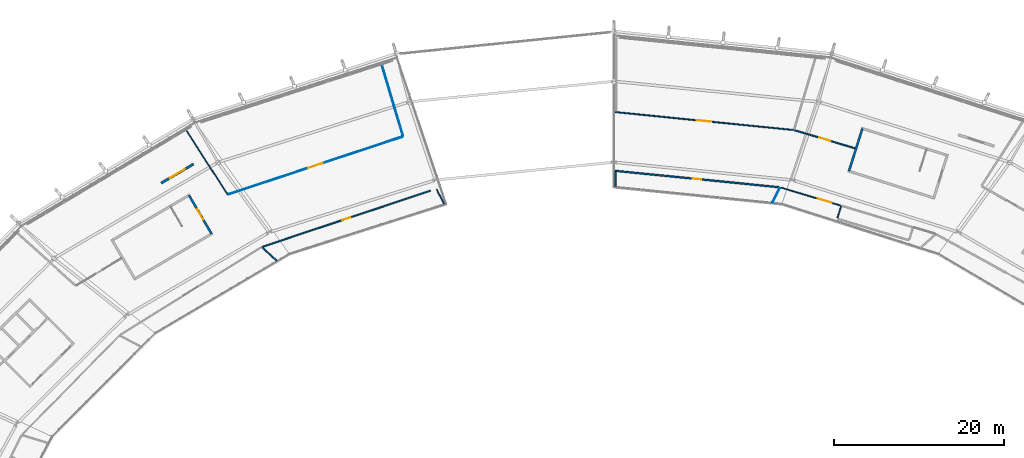
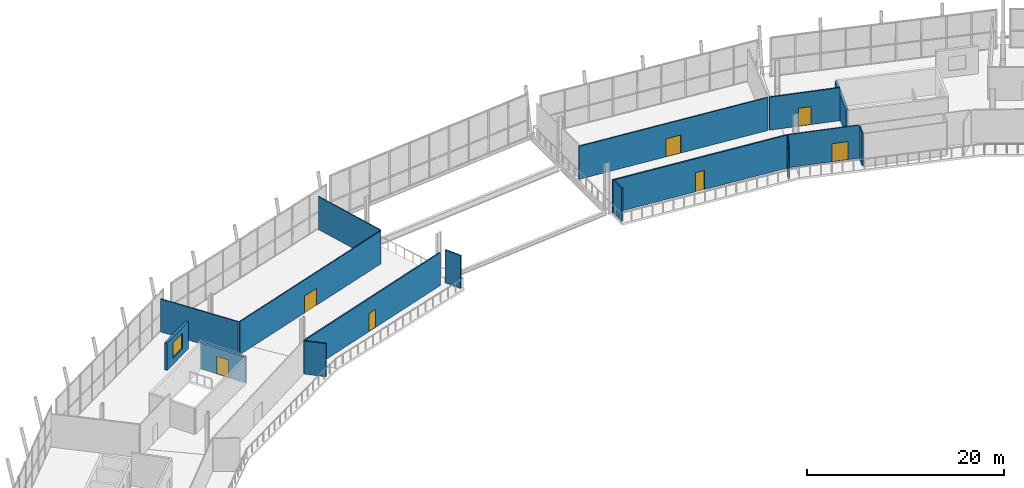
# One storey, part 91 of 99: 16 walls, 7 doors, 1 window, 8 openings.
"""IFC4 building model written with IfcOpenShell, lengths in metres."""

from ifc_helpers import new_model, si_unit, direction, frame, frame_2d, origin, place, context, subcontext, project, spatial, rectangle, extrude, material, layer, layer_set, type_object, element, fill, save


model = new_model("IFC4")

# Units and contexts
model_context = context("Model", 3, precision=1e-05, world=origin(), true_north=direction((0.0, 1.0)))
body_context = subcontext(model_context, "Body", "Model", "MODEL_VIEW")
ifc_project = project(units=[si_unit("LENGTHUNIT", "METRE"), si_unit("AREAUNIT", "SQUARE_METRE"), si_unit("VOLUMEUNIT", "CUBIC_METRE"), si_unit("PLANEANGLEUNIT", "RADIAN"), si_unit("MASSUNIT", "GRAM", prefix="KILO")], contexts=[model_context])

# Site, building, storey
site_placement = place(None, origin())
site = spatial("IfcSite", under=ifc_project, at=site_placement, CompositionType="ELEMENT")
building_placement = place(site_placement, origin())
building = spatial("IfcBuilding", under=site, at=building_placement, Name="Zlatoyarsky Gate Stadium", CompositionType="ELEMENT")
storey_placement = place(building_placement, frame((0.0, 0.0, 26.199951171875)))
storey = spatial("IfcBuildingStorey", under=building, at=storey_placement, Name="L05", CompositionType="ELEMENT", Elevation=26.199951171875)

# Wall, opening, door
ifc_material_1 = material(Name="Double-stud acoustic gypsum partition", Category="gypsum")
ifc_layer_1 = layer(ifc_material_1, 0.169921875)
ifc_layer_set_1 = layer_set([ifc_layer_1], Name="Double-stud acoustic gypsum partition")
wall_type_1 = type_object("IfcWallType", Name="ACOUSTIC BROADCAST STUDIO WALL 170", PredefinedType="PARTITIONING", material=ifc_layer_set_1)
wall_1_placement = place(storey_placement, frame((130.4248046875, 138.56103515625, 0.0), z_axis=(0.0, 0.0, 1.0), x_axis=(-0.995054213973, 0.099333334058, 0.0)))
wall_1 = element("IfcWall", 1, at=wall_1_placement, inside=storey, type_object=wall_type_1, Name="L05 interior partition PRT-L05-ICC-05", PredefinedType="PARTITIONING", context=body_context, shape_type="SweptSolid", body=[
    extrude(rectangle(XDim=19.436279296875, YDim=0.169921875, at=frame_2d((9.71826171875, 0.0))), origin(), (0.0, 0.0, 1.0), 4.10009765625),
])
opening_1_placement = place(wall_1_placement, frame((9.23828125, 0.0, 0.0)))
opening_1 = element("IfcOpeningElement", 2, at=opening_1_placement, cuts=wall_1, Name="Opening D-L05-620", PredefinedType="OPENING", context=body_context, shape_type="SweptSolid", body=[
    extrude(rectangle(XDim=0.9599609375, YDim=2.3798828125, at=frame_2d((0.47998046875, 1.18994140625))), frame((0.0, 0.094970703125, 0.0), z_axis=(0.0, -1.0, 0.0), x_axis=(1.0, 0.0, 0.0)), (0.0, 0.0, 1.0), 0.18994140625),
])
ifc_material_2 = material(Name="Powder-coated steel fire door", Category="steel")
door_type_1 = type_object("IfcDoorType", Name="ACOUSTIC INTERIOR DOOR 960X2380", OperationType="NOTDEFINED", PredefinedType="DOOR", material=ifc_material_2)
door_1_placement = place(opening_1_placement, origin())
door_1 = element("IfcDoor", 3, at=door_1_placement, inside=storey, type_object=door_type_1, Name="L05 room door D-L05-620", OperationType="SINGLE_SWING_LEFT", OverallHeight=2.3798828125, OverallWidth=0.9599609375, PredefinedType="DOOR", context=body_context, shape_type="SweptSolid", body=[
    extrude(rectangle(XDim=0.9599609375, YDim=2.3798828125, at=frame_2d((0.47998046875, 1.18994140625))), frame((0.0, 0.02490234375, 0.0), z_axis=(0.0, -1.0, 0.0), x_axis=(1.0, 0.0, 0.0)), (0.0, 0.0, 1.0), 0.050048828125),
])
fill(opening_1, door_1)

ifc_material_3 = material(Name="Anodised aluminium acoustic operable wall", Category="aluminium")
ifc_layer_2 = layer(ifc_material_3, 0.114990234375)
ifc_layer_set_2 = layer_set([ifc_layer_2], Name="Anodised aluminium acoustic operable wall")
wall_type_2 = type_object("IfcWallType", Name="ACOUSTIC OPERABLE SUITE WALL 115", PredefinedType="MOVABLE", material=ifc_layer_set_2)
wall_2_placement = place(storey_placement, frame((137.61083984375, 136.417724609375, 0.0), z_axis=(0.0, 0.0, 1.0), x_axis=(-0.957653782183, 0.28792226984, 0.0)))
wall_2 = element("IfcWall", 4, at=wall_2_placement, inside=storey, type_object=wall_type_2, Name="L05 interior partition PRT-L05-ICC-04", PredefinedType="MOVABLE", context=body_context, shape_type="SweptSolid", body=[
    extrude(rectangle(XDim=7.330322265625, YDim=0.114990234375, at=frame_2d((3.6650390625, 0.0))), origin(), (0.0, 0.0, 1.0), 4.10009765625),
])
opening_2_placement = place(wall_2_placement, frame((1.10009765625, 0.0, 0.0)))
opening_2 = element("IfcOpeningElement", 5, at=opening_2_placement, cuts=wall_2, Name="Opening D-L05-618", PredefinedType="OPENING", context=body_context, shape_type="SweptSolid", body=[
    extrude(rectangle(XDim=1.679931640625, YDim=2.239990234375, at=frame_2d((0.83984375, 1.1201171875))), frame((0.0, 0.0673828125, 0.0), z_axis=(0.0, -1.0, 0.0), x_axis=(1.0, 0.0, 0.0)), (0.0, 0.0, 1.0), 0.135009765625),
])
ifc_material_4 = material(Name="Solid-core oak veneer acoustic door", Category="wood")
door_type_2 = type_object("IfcDoorType", Name="ACOUSTIC INTERIOR DOOR 1680X2240", OperationType="NOTDEFINED", PredefinedType="DOOR", material=ifc_material_4)
door_2_placement = place(opening_2_placement, origin())
door_2 = element("IfcDoor", 6, at=door_2_placement, inside=storey, type_object=door_type_2, Name="L05 room door D-L05-618", OperationType="SINGLE_SWING_RIGHT", OverallHeight=2.239990234375, OverallWidth=1.679931640625, PredefinedType="DOOR", context=body_context, shape_type="SweptSolid", body=[
    extrude(rectangle(XDim=1.679931640625, YDim=2.239990234375, at=frame_2d((0.83984375, 1.1201171875))), frame((0.0, 0.02490234375, 0.0), z_axis=(0.0, -1.0, 0.0), x_axis=(1.0, 0.0, 0.0)), (0.0, 0.0, 1.0), 0.050048828125),
])
fill(opening_2, door_2)

# Walls
wall_3_placement = place(storey_placement, frame((65.5888671875, 137.760009765625, 0.0), z_axis=(0.0, 0.0, 1.0), x_axis=(-0.540944238163, 0.841058458847, 0.0)))
element("IfcWall", 7, at=wall_3_placement, inside=storey, type_object=wall_type_2, Name="L05 interior partition PRT-L05-ORD-07R", PredefinedType="MOVABLE", context=body_context, shape_type="SweptSolid", body=[
    extrude(rectangle(XDim=8.858154296875, YDim=0.114990234375, at=frame_2d((4.42919921875, 0.0))), origin(), (0.0, 0.0, 1.0), 4.10009765625),
])
ifc_material_5 = material(Name="Moisture-resistant masonry partition", Category="masonry")
ifc_layer_3 = layer(ifc_material_5, 0.139892578125)
ifc_layer_set_3 = layer_set([ifc_layer_3], Name="Moisture-resistant masonry partition")
wall_type_3 = type_object("IfcWallType", Name="ATHLETE CHANGING BLOCK PARTITION 140", PredefinedType="PARTITIONING", material=ifc_layer_set_3)
wall_4_placement = place(storey_placement, frame((71.38330078125, 129.925537109375, 0.0), z_axis=(0.0, 0.0, 1.0), x_axis=(-0.735568791017, 0.677450037776, 0.0)))
element("IfcWall", 8, at=wall_4_placement, inside=storey, type_object=wall_type_3, Name="L05 interior partition PRT-L05-IRD-08", PredefinedType="PARTITIONING", context=body_context, shape_type="SweptSolid", body=[
    extrude(rectangle(XDim=2.2978515625, YDim=0.139892578125, at=frame_2d((1.14892578125, 0.0))), origin(), (0.0, 0.0, 1.0), 4.10009765625),
])

# Wall, opening, door
ifc_material_6 = material(Name="Metal-stud gypsum partition", Category="gypsum")
ifc_layer_4 = layer(ifc_material_6, 0.14990234375)
ifc_layer_set_4 = layer_set([ifc_layer_4], Name="Metal-stud gypsum partition")
wall_type_4 = type_object("IfcWallType", Name="CONCOURSE CORRIDOR PARTITION 150", PredefinedType="PARTITIONING", material=ifc_layer_set_4)
wall_5_placement = place(storey_placement, frame((89.45458984375, 138.156982421875, 0.0), z_axis=(0.0, 0.0, 1.0), x_axis=(-0.948550671686, -0.316625367341, 0.0)))
wall_5 = element("IfcWall", 9, at=wall_5_placement, inside=storey, type_object=wall_type_4, Name="L05 interior partition PRT-L05-ICC-07", PredefinedType="PARTITIONING", context=body_context, shape_type="SweptSolid", body=[
    extrude(rectangle(XDim=20.814208984375, YDim=0.14990234375, at=frame_2d((10.4072265625, 0.0))), origin(), (0.0, 0.0, 1.0), 4.10009765625),
])
opening_3_placement = place(wall_5_placement, frame((9.897216796875, 0.0, 0.0)))
opening_3 = element("IfcOpeningElement", 10, at=opening_3_placement, cuts=wall_5, Name="Opening D-L05-622", PredefinedType="OPENING", context=body_context, shape_type="SweptSolid", body=[
    extrude(rectangle(XDim=1.02001953125, YDim=2.239990234375, at=frame_2d((0.510009765625, 1.1201171875))), frame((0.0, 0.0849609375, 0.0), z_axis=(0.0, -1.0, 0.0), x_axis=(1.0, 0.0, 0.0)), (0.0, 0.0, 1.0), 0.169921875),
])
door_type_3 = type_object("IfcDoorType", Name="ACOUSTIC INTERIOR DOOR 1020X2240", OperationType="NOTDEFINED", PredefinedType="DOOR", material=ifc_material_2)
door_3_placement = place(opening_3_placement, origin())
door_3 = element("IfcDoor", 11, at=door_3_placement, inside=storey, type_object=door_type_3, Name="L05 room door D-L05-622", OperationType="SINGLE_SWING_RIGHT", OverallHeight=2.239990234375, OverallWidth=1.02001953125, PredefinedType="DOOR", context=body_context, shape_type="SweptSolid", body=[
    extrude(rectangle(XDim=1.02001953125, YDim=2.239990234375, at=frame_2d((0.510009765625, 1.1201171875))), frame((0.0, 0.02490234375, 0.0), z_axis=(0.0, -1.0, 0.0), x_axis=(1.0, 0.0, 0.0)), (0.0, 0.0, 1.0), 0.050048828125),
])
fill(opening_3, door_3)

wall_6_placement = place(storey_placement, frame((139.311767578125, 143.135009765625, 0.0), z_axis=(0.0, 0.0, 1.0), x_axis=(-0.958149765672, 0.286267403913, 0.0)))
wall_6 = element("IfcWall", 12, at=wall_6_placement, inside=storey, type_object=wall_type_4, Name="L05 interior partition PRT-L05-OCC-04-1", PredefinedType="PARTITIONING", context=body_context, shape_type="SweptSolid", body=[
    extrude(rectangle(XDim=7.40185546875, YDim=0.14990234375, at=frame_2d((3.700927734375, 0.0))), origin(), (0.0, 0.0, 1.0), 4.10009765625),
])
opening_4_placement = place(wall_6_placement, frame((3.03076171875, 0.0, 0.0)))
opening_4 = element("IfcOpeningElement", 13, at=opening_4_placement, cuts=wall_6, Name="Opening D-L05-672", PredefinedType="OPENING", context=body_context, shape_type="SweptSolid", body=[
    extrude(rectangle(XDim=1.340087890625, YDim=2.239990234375, at=frame_2d((0.669921875, 1.1201171875))), frame((0.0, 0.0849609375, 0.0), z_axis=(0.0, -1.0, 0.0), x_axis=(1.0, 0.0, 0.0)), (0.0, 0.0, 1.0), 0.169921875),
])
door_type_4 = type_object("IfcDoorType", Name="ACOUSTIC INTERIOR DOOR 1340X2240", OperationType="NOTDEFINED", PredefinedType="DOOR", material=ifc_material_2)
door_4_placement = place(opening_4_placement, origin())
door_4 = element("IfcDoor", 14, at=door_4_placement, inside=storey, type_object=door_type_4, Name="L05 room door D-L05-672", OperationType="SINGLE_SWING_RIGHT", OverallHeight=2.239990234375, OverallWidth=1.340087890625, PredefinedType="DOOR", context=body_context, shape_type="SweptSolid", body=[
    extrude(rectangle(XDim=1.340087890625, YDim=2.239990234375, at=frame_2d((0.669921875, 1.1201171875))), frame((0.0, 0.02490234375, 0.0), z_axis=(0.0, -1.0, 0.0), x_axis=(1.0, 0.0, 0.0)), (0.0, 0.0, 1.0), 0.050048828125),
])
fill(opening_4, door_4)

# Wall
ifc_material_7 = material(Name="Concrete C40/50", Category="concrete")
ifc_layer_5 = layer(ifc_material_7, 0.25)
ifc_layer_set_5 = layer_set([ifc_layer_5], Name="Concrete C40/50")
wall_type_5 = type_object("IfcWallType", Name="CONCRETE STAIR CORE SHEAR WALL 250", PredefinedType="SHEAR", material=ifc_layer_set_5)
wall_7_placement = place(storey_placement, frame((140.182373046875, 145.457763671875, 0.0), z_axis=(0.0, 0.0, 1.0), x_axis=(-0.301485222482, -0.953470849384, 0.0)))
element("IfcWall", 15, at=wall_7_placement, inside=storey, type_object=wall_type_5, Name="ST-03 L05 stair core far shear wall", PredefinedType="SHEAR", context=body_context, shape_type="SweptSolid", body=[
    extrude(rectangle(XDim=5.25, YDim=0.25, at=frame_2d((2.625, 0.0))), origin(), (0.0, 0.0, 1.0), 3.199951171875),
])

# Wall, opening, door
wall_8_placement = place(storey_placement, frame((63.74658203125, 133.083984375, 0.0), z_axis=(0.0, 0.0, 1.0), x_axis=(-0.505460490551, 0.862849750821, 0.0)))
wall_8 = element("IfcWall", 16, at=wall_8_placement, inside=storey, type_object=wall_type_5, Name="ST-05 L05 stair core entrance shear wall", PredefinedType="SHEAR", context=body_context, shape_type="SweptSolid", body=[
    extrude(rectangle(XDim=5.249755859375, YDim=0.25, at=frame_2d((2.625, 0.0))), origin(), (0.0, 0.0, 1.0), 3.199951171875),
])
opening_5_placement = place(wall_8_placement, frame((1.925048828125, 0.0, 0.0)))
opening_5 = element("IfcOpeningElement", 17, at=opening_5_placement, cuts=wall_8, Name="Opening SD-ST-05-L05", PredefinedType="OPENING", context=body_context, shape_type="SweptSolid", body=[
    extrude(rectangle(XDim=1.39990234375, YDim=2.199951171875, at=frame_2d((0.699951171875, 1.10009765625))), frame((0.0, 0.135009765625, 0.0), z_axis=(0.0, -1.0, 0.0), x_axis=(1.0, 0.0, 0.0)), (0.0, 0.0, 1.0), 0.27001953125),
])
door_type_5 = type_object("IfcDoorType", Name="STAIR CORE FIRE EXIT DOOR 1400X2200", OperationType="NOTDEFINED", PredefinedType="DOOR", material=ifc_material_2)
door_5_placement = place(opening_5_placement, frame((1.39990234375, 0.0, 0.0), z_axis=(0.0, 0.0, 1.0), x_axis=(-1.0, 0.0, 0.0)))
door_5 = element("IfcDoor", 18, at=door_5_placement, inside=storey, type_object=door_type_5, Name="ST-05 L05 stair fire door", OperationType="SINGLE_SWING_LEFT", OverallHeight=2.199951171875, OverallWidth=1.39990234375, PredefinedType="DOOR", context=body_context, shape_type="SweptSolid", body=[
    extrude(rectangle(XDim=1.39990234375, YDim=2.199951171875, at=frame_2d((0.699951171875, 1.10009765625))), frame((0.0, 0.02490234375, 0.0), z_axis=(0.0, -1.0, 0.0), x_axis=(1.0, 0.0, 0.0)), (0.0, 0.0, 1.0), 0.050048828125),
])
fill(opening_5, door_5)

# Walls
ifc_material_8 = material(Name="Timber-veneered acoustic operable partition", Category="wood")
ifc_layer_6 = layer(ifc_material_8, 0.094970703125)
ifc_layer_set_6 = layer_set([ifc_layer_6], Name="Timber-veneered acoustic operable partition")
wall_type_6 = type_object("IfcWallType", Name="FOLDING BANQUET SALON WALL 95", PredefinedType="MOVABLE", material=ifc_layer_set_6)
wall_9_placement = place(storey_placement, frame((129.611083984375, 136.775634765625, 0.0), z_axis=(0.0, 0.0, 1.0), x_axis=(0.45120504431, 0.892420309041, 0.0)))
element("IfcWall", 19, at=wall_9_placement, inside=storey, type_object=wall_type_6, Name="L05 interior partition PRT-L05-IRD-05", PredefinedType="MOVABLE", context=body_context, shape_type="SweptSolid", body=[
    extrude(rectangle(XDim=1.90625, YDim=0.094970703125, at=frame_2d((0.953125, 0.0))), origin(), (0.0, 0.0, 1.0), 4.10009765625),
])
ifc_material_9 = material(Name="Acoustic metal-stud gypsum partition", Category="gypsum")
ifc_layer_7 = layer(ifc_material_9, 0.159912109375)
ifc_layer_set_7 = layer_set([ifc_layer_7], Name="Acoustic metal-stud gypsum partition")
wall_type_7 = type_object("IfcWallType", Name="HOSPITALITY SUITE PARTITION 160", PredefinedType="PARTITIONING", material=ifc_layer_set_7)
wall_10_placement = place(storey_placement, frame((111.198974609375, 138.68505859375, 0.0), z_axis=(0.0, 0.0, 1.0), x_axis=(0.0, 1.0, 0.0)))
element("IfcWall", 20, at=wall_10_placement, inside=storey, type_object=wall_type_7, Name="L05 interior partition PRT-L05-IRD-06E", PredefinedType="PARTITIONING", context=body_context, shape_type="SweptSolid", body=[
    extrude(rectangle(XDim=1.749755859375, YDim=0.159912109375, at=frame_2d((0.875, 0.0))), origin(), (0.0, 0.0, 1.0), 4.10009765625),
])

# Wall, opening, window
ifc_material_10 = material(Name="Precast concrete C40/50 architectural panel", Category="concrete")
ifc_layer_8 = layer(ifc_material_10, 0.280029296875)
ifc_layer_set_8 = layer_set([ifc_layer_8], Name="Precast concrete C40/50 architectural panel")
wall_type_8 = type_object("IfcWallType", Name="INSULATED WING SPANDREL WALL 280", PredefinedType="STANDARD", material=ifc_layer_set_8)
wall_11_placement = place(storey_placement, frame((61.6201171875, 141.2763671875, 0.0), z_axis=(0.0, 0.0, 1.0), x_axis=(-0.861939920372, -0.507010427574, 0.0)))
wall_11 = element("IfcWall", 21, at=wall_11_placement, inside=storey, type_object=wall_type_8, Name="L05 clerestory lantern wall 03", PredefinedType="STANDARD", context=body_context, shape_type="SweptSolid", body=[
    extrude(rectangle(XDim=4.400146484375, YDim=0.280029296875, at=frame_2d((2.2001953125, 0.0))), origin(), (0.0, 0.0, 1.0), 3.400146484375),
])
opening_6_placement = place(wall_11_placement, frame((1.199951171875, 0.0, 0.800048828125)))
opening_6 = element("IfcOpeningElement", 22, at=opening_6_placement, cuts=wall_11, Name="Opening SK-03", PredefinedType="OPENING", context=body_context, shape_type="SweptSolid", body=[
    extrude(rectangle(XDim=2.0, YDim=1.89990234375, at=frame_2d((1.0, 0.949951171875))), frame((0.0, 0.14990234375, 0.0), z_axis=(0.0, -1.0, 0.0), x_axis=(1.0, 0.0, 0.0)), (0.0, 0.0, 1.0), 0.300048828125),
])
ifc_material_11 = material(Name="Triple-glazed thermally broken aluminium skylight", Category="aluminium")
window_type = type_object("IfcWindowType", Name="INSULATED ROOF SMOKE VENT SKYLIGHT 2000X1900", PartitioningType="SINGLE_PANEL", PredefinedType="SKYLIGHT", material=ifc_material_11)
window_placement = place(opening_6_placement, origin())
window = element("IfcWindow", 23, at=window_placement, inside=storey, type_object=window_type, Name="Clerestory smoke vent skylight SKY-03", OverallHeight=1.89990234375, OverallWidth=2.0, PartitioningType="SINGLE_PANEL", PredefinedType="SKYLIGHT", context=body_context, shape_type="SweptSolid", body=[
    extrude(rectangle(XDim=2.0, YDim=1.89990234375, at=frame_2d((1.0, 0.949951171875))), frame((0.0, 0.030029296875, 0.0), z_axis=(0.0, -1.0, 0.0), x_axis=(1.0, 0.0, 0.0)), (0.0, 0.0, 1.0), 0.06005859375),
])
fill(opening_6, window)

# Wall, opening, door
ifc_layer_9 = layer(ifc_material_6, 0.110107421875)
ifc_layer_set_9 = layer_set([ifc_layer_9], Name="Metal-stud gypsum partition")
wall_type_9 = type_object("IfcWallType", Name="KIOSK SERVICE PARTITION 110", PredefinedType="PARTITIONING", material=ifc_layer_set_9)
wall_12_placement = place(storey_placement, frame((86.18017578125, 144.489501953125, 0.0), z_axis=(0.0, 0.0, 1.0), x_axis=(-0.949337004551, -0.314259847563, 0.0)))
wall_12 = element("IfcWall", 24, at=wall_12_placement, inside=storey, type_object=wall_type_9, Name="L05 interior partition PRT-L05-OCC-07-1", PredefinedType="PARTITIONING", context=body_context, shape_type="SweptSolid", body=[
    extrude(rectangle(XDim=21.556640625, YDim=0.110107421875, at=frame_2d((10.7783203125, 0.0))), origin(), (0.0, 0.0, 1.0), 4.10009765625),
])
opening_7_placement = place(wall_12_placement, frame((9.868408203125, 0.0, 0.0)))
opening_7 = element("IfcOpeningElement", 25, at=opening_7_placement, cuts=wall_12, Name="Opening D-L05-676", PredefinedType="OPENING", context=body_context, shape_type="SweptSolid", body=[
    extrude(rectangle(XDim=1.820068359375, YDim=2.10009765625, at=frame_2d((0.91015625, 1.050048828125))), frame((0.0, 0.06494140625, 0.0), z_axis=(0.0, -1.0, 0.0), x_axis=(1.0, 0.0, 0.0)), (0.0, 0.0, 1.0), 0.130126953125),
])
door_type_6 = type_object("IfcDoorType", Name="ACOUSTIC INTERIOR DOOR 1820X2100", OperationType="NOTDEFINED", PredefinedType="DOOR", material=ifc_material_4)
door_6_placement = place(opening_7_placement, origin())
door_6 = element("IfcDoor", 26, at=door_6_placement, inside=storey, type_object=door_type_6, Name="L05 room door D-L05-676", OperationType="SINGLE_SWING_RIGHT", OverallHeight=2.10009765625, OverallWidth=1.820068359375, PredefinedType="DOOR", context=body_context, shape_type="SweptSolid", body=[
    extrude(rectangle(XDim=1.820068359375, YDim=2.10009765625, at=frame_2d((0.91015625, 1.050048828125))), frame((0.0, 0.02490234375, 0.0), z_axis=(0.0, -1.0, 0.0), x_axis=(1.0, 0.0, 0.0)), (0.0, 0.0, 1.0), 0.050048828125),
])
fill(opening_7, door_6)

# Walls
ifc_layer_10 = layer(ifc_material_6, 0.10009765625)
ifc_layer_set_10 = layer_set([ifc_layer_10], Name="Metal-stud gypsum partition")
wall_type_10 = type_object("IfcWallType", Name="LIGHT STORAGE PARTITION 100", PredefinedType="PARTITIONING", material=ifc_layer_set_10)
wall_13_placement = place(storey_placement, frame((86.236572265625, 144.59765625, 0.0), z_axis=(0.0, 0.0, 1.0), x_axis=(-0.285998860246, 0.958229957755, 0.0)))
element("IfcWall", 27, at=wall_13_placement, inside=storey, type_object=wall_type_10, Name="L05 interior partition PRT-L05-ORD-07L", PredefinedType="PARTITIONING", context=body_context, shape_type="SweptSolid", body=[
    extrude(rectangle(XDim=8.668701171875, YDim=0.10009765625, at=frame_2d((4.33447265625, 0.0))), origin(), (0.0, 0.0, 1.0), 4.10009765625),
])
ifc_material_12 = material(Name="Moisture-resistant tile-backed partition", Category="gypsum")
ifc_layer_11 = layer(ifc_material_12, 0.1298828125)
ifc_layer_set_11 = layer_set([ifc_layer_11], Name="Moisture-resistant tile-backed partition")
wall_type_11 = type_object("IfcWallType", Name="SANITARY WET ROOM PARTITION 130", PredefinedType="PARTITIONING", material=ifc_layer_set_11)
wall_14_placement = place(storey_placement, frame((137.667724609375, 136.31201171875, 0.0), z_axis=(0.0, 0.0, 1.0), x_axis=(-0.28781769607, -0.957685216461, 0.0)))
element("IfcWall", 28, at=wall_14_placement, inside=storey, type_object=wall_type_11, Name="L05 interior partition PRT-L05-WC04-R", PredefinedType="PARTITIONING", context=body_context, shape_type="SweptSolid", body=[
    extrude(rectangle(XDim=1.43017578125, YDim=0.1298828125, at=frame_2d((0.715087890625, 0.0))), origin(), (0.0, 0.0, 1.0), 4.10009765625),
])
wall_15_placement = place(storey_placement, frame((91.05419921875, 136.59912109375, 0.0), z_axis=(0.0, 0.0, 1.0), x_axis=(-0.450893699707, 0.892577655761, 0.0)))
element("IfcWall", 29, at=wall_15_placement, inside=storey, type_object=wall_type_11, Name="L05 interior partition PRT-L05-IRD-07G", PredefinedType="PARTITIONING", context=body_context, shape_type="SweptSolid", body=[
    extrude(rectangle(XDim=1.90869140625, YDim=0.1298828125, at=frame_2d((0.954345703125, 0.0))), origin(), (0.0, 0.0, 1.0), 4.10009765625),
])

# Wall, opening, door
wall_16_placement = place(storey_placement, frame((132.0537109375, 145.28662109375, 0.0), z_axis=(0.0, 0.0, 1.0), x_axis=(-0.994999152048, 0.099883369104, 0.0)))
wall_16 = element("IfcWall", 30, at=wall_16_placement, inside=storey, type_object=wall_type_11, Name="L05 interior partition PRT-L05-OCC-05-1", PredefinedType="PARTITIONING", context=body_context, shape_type="SweptSolid", body=[
    extrude(rectangle(XDim=21.074462890625, YDim=0.1298828125, at=frame_2d((10.537109375, 0.0))), origin(), (0.0, 0.0, 1.0), 4.10009765625),
])
opening_8_placement = place(wall_16_placement, frame((9.697265625, 0.0, 0.0)))
opening_8 = element("IfcOpeningElement", 31, at=opening_8_placement, cuts=wall_16, Name="Opening D-L05-674", PredefinedType="OPENING", context=body_context, shape_type="SweptSolid", body=[
    extrude(rectangle(XDim=1.679931640625, YDim=2.239990234375, at=frame_2d((0.83984375, 1.1201171875))), frame((0.0, 0.074951171875, 0.0), z_axis=(0.0, -1.0, 0.0), x_axis=(1.0, 0.0, 0.0)), (0.0, 0.0, 1.0), 0.14990234375),
])
door_7_placement = place(opening_8_placement, origin())
door_7 = element("IfcDoor", 32, at=door_7_placement, inside=storey, type_object=door_type_2, Name="L05 room door D-L05-674", OperationType="SINGLE_SWING_LEFT", OverallHeight=2.239990234375, OverallWidth=1.679931640625, PredefinedType="DOOR", context=body_context, shape_type="SweptSolid", body=[
    extrude(rectangle(XDim=1.679931640625, YDim=2.239990234375, at=frame_2d((0.83984375, 1.1201171875))), frame((0.0, 0.02490234375, 0.0), z_axis=(0.0, -1.0, 0.0), x_axis=(1.0, 0.0, 0.0)), (0.0, 0.0, 1.0), 0.050048828125),
])
fill(opening_8, door_7)

save(model, "model.ifc")
